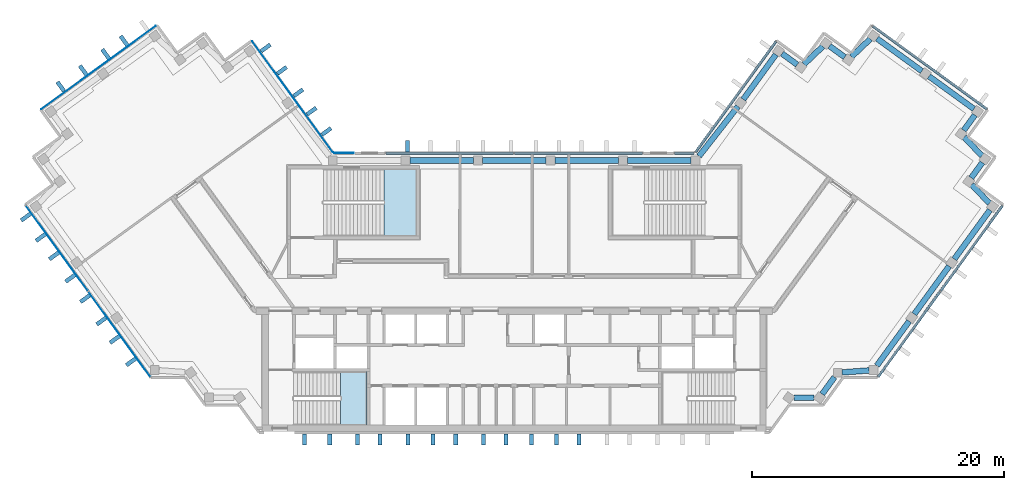
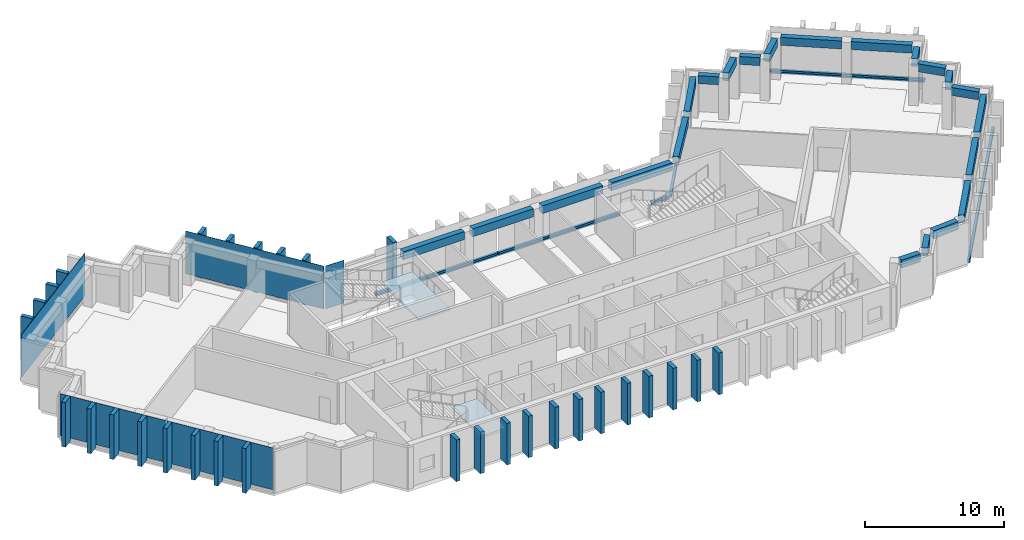
"""IFC4 building model written with IfcOpenShell, lengths in metres."""

from ifc_helpers import new_model, si_unit, direction, frame, origin, origin_2d, place, context, subcontext, project, spatial, polyline, rectangle, outline, extrude, material, layer, layer_set, material_profile, profile_set, type_object, element, aggregate, save


model = new_model("IFC4")

# Units and contexts
model_context = context("Model", 3, precision=1e-05, world=origin(), true_north=direction((0.0, 1.0)))
body_context = subcontext(model_context, "Body", "Model", "MODEL_VIEW")
ifc_project = project(units=[si_unit("LENGTHUNIT", "METRE"), si_unit("AREAUNIT", "SQUARE_METRE"), si_unit("VOLUMEUNIT", "CUBIC_METRE"), si_unit("PLANEANGLEUNIT", "RADIAN"), si_unit("MASSUNIT", "GRAM", prefix="KILO")], contexts=[model_context])

# Site, building, storey
site_placement = place(None, origin())
site = spatial("IfcSite", under=ifc_project, at=site_placement, CompositionType="ELEMENT")
building_placement = place(site_placement, origin())
building = spatial("IfcBuilding", under=site, at=building_placement, Name="Quipu Civic Tower", CompositionType="ELEMENT")
storey_1_placement = place(building_placement, frame((0.0, 0.0, 253.0)))
storey_1 = spatial("IfcBuildingStorey", under=building, at=storey_1_placement, Name="L59", CompositionType="ELEMENT", Elevation=253.0)

# Beams
ifc_material_1 = material(Name="Concrete C50/60", Category="concrete")
ifc_material_profile_1 = material_profile(ifc_material_1, rectangle(XDim=0.449951171875, YDim=0.699951171875, at=origin_2d()), Name="RC450x700")
ifc_profile_set_1 = profile_set([ifc_material_profile_1], Name="Concrete C50/60")
beam_type = type_object("IfcBeamType", Name="Spandrel beam RC 450x700 C50/60", PredefinedType="SPANDREL", material=ifc_profile_set_1)
beam_1_placement = place(storey_1_placement, frame((22.224365234375, -8.31494140625, 3.300048828125), z_axis=(1.0, 0.0, 0.0), x_axis=(0.0, 1.0, 0.0)))
element("IfcBeam", 1, at=beam_1_placement, inside=storey_1, type_object=beam_type, Name="Spandrel beam L59 J-Eo.1 to J-Eo.2", PredefinedType="SPANDREL", context=body_context, shape_type="SweptSolid", body=[
    extrude(rectangle(XDim=0.449951171875, YDim=0.699951171875, at=origin_2d()), origin(), (0.0, 0.0, 1.0), 1.578125),
])
beam_2_placement = place(storey_1_placement, frame((24.44091796875, -8.031982421875, 3.300048828125), z_axis=(0.588407300614, 0.80856468423, 0.0), x_axis=(-0.80856468423, 0.588407300614, 0.0)))
element("IfcBeam", 2, at=beam_2_placement, inside=storey_1, type_object=beam_type, Name="Spandrel beam L59 J-Eo.2 to J-Eo.3", PredefinedType="SPANDREL", context=body_context, shape_type="SweptSolid", body=[
    extrude(rectangle(XDim=0.449951171875, YDim=0.699951171875, at=origin_2d()), origin(), (0.0, 0.0, 1.0), 1.663330078125),
])
beam_3_placement = place(storey_1_placement, frame((26.0244140625, -6.3115234375, 3.300048828125), z_axis=(0.997379352029, 0.072349347934, 0.0), x_axis=(-0.072349347934, 0.997379352029, 0.0)))
element("IfcBeam", 3, at=beam_3_placement, inside=storey_1, type_object=beam_type, Name="Spandrel beam L59 J-Eo.3 to J-Eo.4", PredefinedType="SPANDREL", context=body_context, shape_type="SweptSolid", body=[
    extrude(rectangle(XDim=0.449951171875, YDim=0.699951171875, at=origin_2d()), origin(), (0.0, 0.0, 1.0), 2.15625),
])
beam_4_placement = place(storey_1_placement, frame((28.779296875, -5.780029296875, 3.300048828125), z_axis=(0.58777550284, 0.809024077677, 0.0), x_axis=(-0.809024077677, 0.58777550284, 0.0)))
element("IfcBeam", 4, at=beam_4_placement, inside=storey_1, type_object=beam_type, Name="Spandrel beam L59 J-Eo.4 to E-OUT-01", PredefinedType="SPANDREL", context=body_context, shape_type="SweptSolid", body=[
    extrude(rectangle(XDim=0.449951171875, YDim=0.699951171875, at=origin_2d()), origin(), (0.0, 0.0, 1.0), 4.36083984375),
])
beam_5_placement = place(storey_1_placement, frame((31.75390625, -1.685546875, 3.300048828125), z_axis=(0.587788656305, 0.809014521204, 0.0), x_axis=(-0.809014521204, 0.587788656305, 0.0)))
element("IfcBeam", 5, at=beam_5_placement, inside=storey_1, type_object=beam_type, Name="Spandrel beam L59 E-OUT-01 to E-OUT-02", PredefinedType="SPANDREL", context=body_context, shape_type="SweptSolid", body=[
    extrude(rectangle(XDim=0.449951171875, YDim=0.699951171875, at=origin_2d()), origin(), (0.0, 0.0, 1.0), 4.7001953125),
])
beam_6_placement = place(storey_1_placement, frame((34.927978515625, 2.68310546875, 3.300048828125), z_axis=(0.587905928359, 0.808929304328, 0.0), x_axis=(-0.808929304328, 0.587905928359, 0.0)))
element("IfcBeam", 6, at=beam_6_placement, inside=storey_1, type_object=beam_type, Name="Spandrel beam L59 E-OUT-02 to T-Eo.0-E22", PredefinedType="SPANDREL", context=body_context, shape_type="SweptSolid", body=[
    extrude(rectangle(XDim=0.449951171875, YDim=0.699951171875, at=origin_2d()), origin(), (0.0, 0.0, 1.0), 4.80712890625),
])
beam_7_placement = place(storey_1_placement, frame((37.71484375, 7.11279296875, 3.300048828125), z_axis=(-0.689175330605, 0.724594620244, 0.0), x_axis=(-0.724594620244, -0.689175330605, 0.0)))
element("IfcBeam", 7, at=beam_7_placement, inside=storey_1, type_object=beam_type, Name="Spandrel beam L59 T-Eo.0-E22 to T-Eo.1-E22", PredefinedType="SPANDREL", context=body_context, shape_type="SweptSolid", body=[
    extrude(rectangle(XDim=0.449951171875, YDim=0.699951171875, at=origin_2d()), origin(), (0.0, 0.0, 1.0), 2.033447265625),
])
beam_8_placement = place(storey_1_placement, frame((36.273681640625, 9.12744140625, 3.300048828125), z_axis=(0.587164895097, 0.809467347066, 0.0), x_axis=(-0.809467347066, 0.587164895097, 0.0)))
element("IfcBeam", 8, at=beam_8_placement, inside=storey_1, type_object=beam_type, Name="Spandrel beam L59 T-Eo.1-E22 to T-Eo.2-E22", PredefinedType="SPANDREL", context=body_context, shape_type="SweptSolid", body=[
    extrude(rectangle(XDim=0.449951171875, YDim=0.699951171875, at=origin_2d()), origin(), (0.0, 0.0, 1.0), 1.500244140625),
])
beam_9_placement = place(storey_1_placement, frame((37.114990234375, 10.88330078125, 3.300048828125), z_axis=(-0.688247466856, 0.725475998477, 0.0), x_axis=(-0.725475998477, -0.688247466856, 0.0)))
element("IfcBeam", 9, at=beam_9_placement, inside=storey_1, type_object=beam_type, Name="Spandrel beam L59 T-Eo.2-E22 to T-Eo.3-E22", PredefinedType="SPANDREL", context=body_context, shape_type="SweptSolid", body=[
    extrude(rectangle(XDim=0.449951171875, YDim=0.699951171875, at=origin_2d()), origin(), (0.0, 0.0, 1.0), 2.032958984375),
])
beam_10_placement = place(storey_1_placement, frame((35.6767578125, 12.8994140625, 3.300048828125), z_axis=(0.588345920092, 0.808609348394, 0.0), x_axis=(-0.808609348394, 0.588345920092, 0.0)))
element("IfcBeam", 10, at=beam_10_placement, inside=storey_1, type_object=beam_type, Name="Spandrel beam L59 T-Eo.3-E22 to T-Eo.4-E22", PredefinedType="SPANDREL", context=body_context, shape_type="SweptSolid", body=[
    extrude(rectangle(XDim=0.449951171875, YDim=0.699951171875, at=origin_2d()), origin(), (0.0, 0.0, 1.0), 1.499755859375),
])
beam_11_placement = place(storey_1_placement, frame((36.481689453125, 14.6005859375, 3.300048828125), z_axis=(-0.809117270763, 0.587647208921, 0.0), x_axis=(-0.587647208921, -0.809117270763, 0.0)))
element("IfcBeam", 11, at=beam_11_placement, inside=storey_1, type_object=beam_type, Name="Spandrel beam L59 T-Eo.4-E22 to TIP-E-01-E22", PredefinedType="SPANDREL", context=body_context, shape_type="SweptSolid", body=[
    extrude(rectangle(XDim=0.449951171875, YDim=0.699951171875, at=origin_2d()), origin(), (0.0, 0.0, 1.0), 4.40185546875),
])
beam_12_placement = place(storey_1_placement, frame((32.353759765625, 17.5986328125, 3.300048828125), z_axis=(-0.809146152767, 0.587607439931, 0.0), x_axis=(-0.587607439931, -0.809146152767, 0.0)))
element("IfcBeam", 12, at=beam_12_placement, inside=storey_1, type_object=beam_type, Name="Spandrel beam L59 TIP-E-01-E22 to T-Ei.0-E22", PredefinedType="SPANDREL", context=body_context, shape_type="SweptSolid", body=[
    extrude(rectangle(XDim=0.449951171875, YDim=0.699951171875, at=origin_2d()), origin(), (0.0, 0.0, 1.0), 4.400390625),
])
beam_13_placement = place(storey_1_placement, frame((28.251708984375, 20.14501953125, 3.300048828125), z_axis=(-0.725359138958, -0.688370626574, 0.0), x_axis=(0.688370626574, -0.725359138958, 0.0)))
element("IfcBeam", 13, at=beam_13_placement, inside=storey_1, type_object=beam_type, Name="Spandrel beam L59 T-Ei.0-E22 to T-Ei.1-E22", PredefinedType="SPANDREL", context=body_context, shape_type="SweptSolid", body=[
    extrude(rectangle(XDim=0.449951171875, YDim=0.699951171875, at=origin_2d()), origin(), (0.0, 0.0, 1.0), 2.032958984375),
])
beam_14_placement = place(storey_1_placement, frame((26.236083984375, 18.70654296875, 3.300048828125), z_axis=(-0.808644589435, 0.588297482553, 0.0), x_axis=(-0.588297482553, -0.808644589435, 0.0)))
element("IfcBeam", 14, at=beam_14_placement, inside=storey_1, type_object=beam_type, Name="Spandrel beam L59 T-Ei.1-E22 to T-Ei.2-E22", PredefinedType="SPANDREL", context=body_context, shape_type="SweptSolid", body=[
    extrude(rectangle(XDim=0.449951171875, YDim=0.699951171875, at=origin_2d()), origin(), (0.0, 0.0, 1.0), 1.500244140625),
])
beam_15_placement = place(storey_1_placement, frame((24.48193359375, 19.5498046875, 3.300048828125), z_axis=(-0.72511931772, -0.6886232461, 0.0), x_axis=(0.6886232461, -0.72511931772, 0.0)))
element("IfcBeam", 15, at=beam_15_placement, inside=storey_1, type_object=beam_type, Name="Spandrel beam L59 T-Ei.2-E22 to T-Ei.3-E22", PredefinedType="SPANDREL", context=body_context, shape_type="SweptSolid", body=[
    extrude(rectangle(XDim=0.449951171875, YDim=0.699951171875, at=origin_2d()), origin(), (0.0, 0.0, 1.0), 2.03369140625),
])
beam_16_placement = place(storey_1_placement, frame((22.466064453125, 18.10986328125, 3.300048828125), z_axis=(-0.809461336076, 0.587173181776, 0.0), x_axis=(-0.587173181776, -0.809461336076, 0.0)))
element("IfcBeam", 16, at=beam_16_placement, inside=storey_1, type_object=beam_type, Name="Spandrel beam L59 T-Ei.3-E22 to T-Ei.4-E22", PredefinedType="SPANDREL", context=body_context, shape_type="SweptSolid", body=[
    extrude(rectangle(XDim=0.449951171875, YDim=0.699951171875, at=origin_2d()), origin(), (0.0, 0.0, 1.0), 1.498046875),
])
beam_17_placement = place(storey_1_placement, frame((20.76416015625, 18.911865234375, 3.300048828125), z_axis=(-0.588201428764, -0.808714460857, 0.0), x_axis=(0.808714460857, -0.588201428764, 0.0)))
element("IfcBeam", 17, at=beam_17_placement, inside=storey_1, type_object=beam_type, Name="Spandrel beam L59 T-Ei.4-E22 to E-IN-01", PredefinedType="SPANDREL", context=body_context, shape_type="SweptSolid", body=[
    extrude(rectangle(XDim=0.449951171875, YDim=0.699951171875, at=origin_2d()), origin(), (0.0, 0.0, 1.0), 4.394287109375),
])
beam_18_placement = place(storey_1_placement, frame((17.7578125, 14.799072265625, 3.300048828125), z_axis=(-0.616106034519, -0.787663223865, 0.0), x_axis=(0.787663223865, -0.616106034519, 0.0)))
element("IfcBeam", 18, at=beam_18_placement, inside=storey_1, type_object=beam_type, Name="Spandrel beam L59 E-IN-01 to J-Ei.0", PredefinedType="SPANDREL", context=body_context, shape_type="SweptSolid", body=[
    extrude(rectangle(XDim=0.449951171875, YDim=0.699951171875, at=origin_2d()), origin(), (0.0, 0.0, 1.0), 5.013427734375),
])
for number, where, z_axis, x_axis, name in (
    (19, (14.045166015625, 10.5, 3.300048828125), (-1.0, 0.0, 0.0), (0.0, -1.0, 0.0), "Spandrel beam L59 J-Ei.0 to FRONT-01"),
    (20, (8.287109375, 10.5, 3.300048828125), (-1.0, 0.0, 0.0), (0.0, -1.0, 0.0), "Spandrel beam L59 FRONT-01 to FRONT-02"),
    (21, (2.529052734375, 10.5, 3.300048828125), (-1.0, 0.0, 0.0), (0.0, -1.0, 0.0), "Spandrel beam L59 FRONT-02 to FRONT-03"),
    (22, (-3.22900390625, 10.5, 3.300048828125), (-1.0, 0.0, 0.0), (0.0, -1.0, 0.0), "Spandrel beam L59 FRONT-03 to FRONT-04"),
):
    element("IfcBeam", number, at=place(storey_1_placement, frame(where, z_axis=z_axis, x_axis=x_axis)), inside=storey_1, type_object=beam_type, Name=name, PredefinedType="SPANDREL", context=body_context, shape_type="SweptSolid", body=[
        extrude(rectangle(XDim=0.449951171875, YDim=0.699951171875, at=origin_2d()), origin(), (0.0, 0.0, 1.0), 5.05810546875),
    ])

# Storey
storey_2_placement = place(building_placement, frame((0.0, 0.0, 257.0)))
storey_2 = spatial("IfcBuildingStorey", under=building, at=storey_2_placement, Name="L60", CompositionType="ELEMENT", Elevation=257.0)

# Curtain wall, members
ifc_material_2 = material(Name="Insulated glass unit", Category="glass")
curtain_wall_type_1 = type_object("IfcCurtainWallType", Name="Office curtain wall CW1", PredefinedType="NOTDEFINED", material=ifc_material_2)
curtain_wall_1_placement = place(storey_2_placement, origin())
curtain_wall_1 = element("IfcCurtainWall", 23, at=curtain_wall_1_placement, inside=storey_2, type_object=curtain_wall_type_1, Name="Office curtain wall CW1 L59 run 13", PredefinedType="NOTDEFINED")
ifc_material_3 = material(Name="Anodised aluminium", Category="aluminium")
ifc_material_profile_2 = material_profile(ifc_material_3, rectangle(XDim=0.199951171875, YDim=0.159912109375, at=origin_2d()), Name="RECT 200x160")
ifc_profile_set_2 = profile_set([ifc_material_profile_2], Name="Anodised aluminium")
member_type_1 = type_object("IfcMemberType", Name="Transom CW1", PredefinedType="USERDEFINED", material=ifc_profile_set_2)
member_1_placement = place(storey_1_placement, frame((28.876708984375, -6.66650390625, 0.159912109375), z_axis=(0.587812107925, 0.808997481935, 0.0), x_axis=(-0.808997481935, 0.587812107925, 0.0)))
member_1 = element("IfcMember", 24, at=member_1_placement, inside=storey_1, type_object=member_type_1, Name="CW1 transom 1.1", ObjectType="TRANSOM", PredefinedType="USERDEFINED", context=body_context, shape_type="SweptSolid", body=[
    extrude(rectangle(XDim=0.199951171875, YDim=0.159912109375, at=origin_2d()), origin(), (0.0, 0.0, 1.0), 8.35791015625),
])
member_2_placement = place(storey_1_placement, frame((33.83642578125, 0.15966796875, 0.159912109375), z_axis=(0.587779098815, 0.809021465102, 0.0), x_axis=(-0.809021465102, 0.587779098815, 0.0)))
member_2 = element("IfcMember", 25, at=member_2_placement, inside=storey_1, type_object=member_type_1, Name="CW1 transom 2.1", ObjectType="TRANSOM", PredefinedType="USERDEFINED", context=body_context, shape_type="SweptSolid", body=[
    extrude(rectangle(XDim=0.199951171875, YDim=0.159912109375, at=origin_2d()), origin(), (0.0, 0.0, 1.0), 8.35791015625),
])
aggregate(curtain_wall_1, [member_1, member_2])

# Curtain wall, member
curtain_wall_2_placement = place(storey_2_placement, origin())
curtain_wall_2 = element("IfcCurtainWall", 26, at=curtain_wall_2_placement, inside=storey_2, type_object=curtain_wall_type_1, Name="Office curtain wall CW1 L59 run 18", PredefinedType="NOTDEFINED")
member_3_placement = place(storey_1_placement, frame((37.536865234375, 14.575927734375, 0.159912109375), z_axis=(-0.809022463805, 0.587777724194, 0.0), x_axis=(-0.587777724194, -0.809022463805, 0.0)))
member_3 = element("IfcMember", 27, at=member_3_placement, inside=storey_1, type_object=member_type_1, Name="CW1 transom 1.1", ObjectType="TRANSOM", PredefinedType="USERDEFINED", context=body_context, shape_type="SweptSolid", body=[
    extrude(rectangle(XDim=0.199951171875, YDim=0.159912109375, at=origin_2d()), origin(), (0.0, 0.0, 1.0), 11.240234375),
])
aggregate(curtain_wall_2, [member_3])

curtain_wall_3_placement = place(storey_2_placement, origin())
curtain_wall_3 = element("IfcCurtainWall", 28, at=curtain_wall_3_placement, inside=storey_2, type_object=curtain_wall_type_1, Name="Office curtain wall CW1 L59 run 23", PredefinedType="NOTDEFINED")
member_4_placement = place(storey_1_placement, frame((20.788818359375, 19.97021484375, 0.159912109375), z_axis=(-0.587796859727, -0.809008560953, 0.0), x_axis=(0.809008560953, -0.587796859727, 0.0)))
member_4 = element("IfcMember", 29, at=member_4_placement, inside=storey_1, type_object=member_type_1, Name="CW1 transom 1.1", ObjectType="TRANSOM", PredefinedType="USERDEFINED", context=body_context, shape_type="SweptSolid", body=[
    extrude(rectangle(XDim=0.199951171875, YDim=0.159912109375, at=origin_2d()), origin(), (0.0, 0.0, 1.0), 10.88427734375),
])
aggregate(curtain_wall_3, [member_4])

curtain_wall_4_placement = place(storey_2_placement, origin())
curtain_wall_4 = element("IfcCurtainWall", 30, at=curtain_wall_4_placement, inside=storey_2, type_object=curtain_wall_type_1, Name="Office curtain wall CW1 L59 run 24", PredefinedType="NOTDEFINED")
member_5_placement = place(storey_1_placement, frame((14.26416015625, 11.10009765625, 0.159912109375), z_axis=(-1.0, 0.0, 0.0), x_axis=(0.0, -1.0, 0.0)))
member_5 = element("IfcMember", 31, at=member_5_placement, inside=storey_1, type_object=member_type_1, Name="CW1 transom 1.1", ObjectType="TRANSOM", PredefinedType="USERDEFINED", context=body_context, shape_type="SweptSolid", body=[
    extrude(rectangle(XDim=0.199951171875, YDim=0.159912109375, at=origin_2d()), origin(), (0.0, 0.0, 1.0), 1.529052734375),
])
aggregate(curtain_wall_4, [member_5])

# Curtain wall, members
curtain_wall_5_placement = place(storey_2_placement, origin())
curtain_wall_5 = element("IfcCurtainWall", 32, at=curtain_wall_5_placement, inside=storey_2, type_object=curtain_wall_type_1, Name="Office curtain wall CW1 L59 run 26", PredefinedType="NOTDEFINED")
member_6_placement = place(storey_1_placement, frame((10.18359375, 11.10009765625, 0.159912109375), z_axis=(-1.0, 0.0, 0.0), x_axis=(0.0, -1.0, 0.0)))
member_6 = element("IfcMember", 33, at=member_6_placement, inside=storey_1, type_object=member_type_1, Name="CW1 transom 1.1", ObjectType="TRANSOM", PredefinedType="USERDEFINED", context=body_context, shape_type="SweptSolid", body=[
    extrude(rectangle(XDim=0.199951171875, YDim=0.159912109375, at=origin_2d()), origin(), (0.0, 0.0, 1.0), 10.1435546875),
])
member_7_placement = place(storey_1_placement, frame((-0.0400390625, 11.10009765625, 0.159912109375), z_axis=(-1.0, 0.0, 0.0), x_axis=(0.0, -1.0, 0.0)))
member_7 = element("IfcMember", 34, at=member_7_placement, inside=storey_1, type_object=member_type_1, Name="CW1 transom 2.1", ObjectType="TRANSOM", PredefinedType="USERDEFINED", context=body_context, shape_type="SweptSolid", body=[
    extrude(rectangle(XDim=0.199951171875, YDim=0.159912109375, at=origin_2d()), origin(), (0.0, 0.0, 1.0), 10.1435546875),
])
aggregate(curtain_wall_5, [member_6, member_7])

# Storey
storey_3_placement = place(building_placement, frame((0.0, 0.0, 248.0)))
storey_3 = spatial("IfcBuildingStorey", under=building, at=storey_3_placement, Name="L58", CompositionType="ELEMENT", Elevation=248.0)

# Curtain wall, members
ifc_material_4 = material(Name="Insulated glass unit", Category="glass")
curtain_wall_type_2 = type_object("IfcCurtainWallType", Name="Sky lobby and refuge curtain wall CW5", PredefinedType="NOTDEFINED", material=ifc_material_4)
curtain_wall_6_placement = place(storey_3_placement, origin())
curtain_wall_6 = element("IfcCurtainWall", 35, at=curtain_wall_6_placement, inside=storey_3, type_object=curtain_wall_type_2, Name="Sky lobby and refuge curtain wall CW5 L58 run 23", PredefinedType="NOTDEFINED")
ifc_material_5 = material(Name="Anodised aluminium", Category="aluminium")
ifc_material_profile_3 = material_profile(ifc_material_5, rectangle(XDim=0.199951171875, YDim=0.14990234375, at=origin_2d()), Name="RECT 200x150")
ifc_profile_set_3 = profile_set([ifc_material_profile_3], Name="Anodised aluminium")
member_type_2 = type_object("IfcMemberType", Name="Transom CW5", PredefinedType="USERDEFINED", material=ifc_profile_set_3)
member_8_placement = place(storey_1_placement, frame((28.89453125, -6.642333984375, 0.0), z_axis=(0.587764741485, 0.809031895952, 0.0), x_axis=(-0.809031895952, 0.587764741485, 0.0)))
member_8 = element("IfcMember", 36, at=member_8_placement, inside=storey_1, type_object=member_type_2, Name="CW5 transom 1.3", ObjectType="TRANSOM", PredefinedType="USERDEFINED", context=body_context, shape_type="SweptSolid", body=[
    extrude(rectangle(XDim=0.199951171875, YDim=0.14990234375, at=origin_2d()), origin(), (0.0, 0.0, 1.0), 8.312744140625),
])
member_9_placement = place(storey_1_placement, frame((33.84521484375, 0.171875, 0.0), z_axis=(0.587783964052, 0.809017930335, 0.0), x_axis=(-0.809017930335, 0.587783964052, 0.0)))
member_9 = element("IfcMember", 37, at=member_9_placement, inside=storey_1, type_object=member_type_2, Name="CW5 transom 2.3", ObjectType="TRANSOM", PredefinedType="USERDEFINED", context=body_context, shape_type="SweptSolid", body=[
    extrude(rectangle(XDim=0.199951171875, YDim=0.14990234375, at=origin_2d()), origin(), (0.0, 0.0, 1.0), 8.31298828125),
])
aggregate(curtain_wall_6, [member_8, member_9])

# Curtain wall, member
curtain_wall_7_placement = place(storey_3_placement, origin())
curtain_wall_7 = element("IfcCurtainWall", 38, at=curtain_wall_7_placement, inside=storey_3, type_object=curtain_wall_type_2, Name="Sky lobby and refuge curtain wall CW5 L58 run 28", PredefinedType="NOTDEFINED")
member_10_placement = place(storey_1_placement, frame((37.512451171875, 14.593505859375, 0.0), z_axis=(-0.809008905304, 0.587796385782, 0.0), x_axis=(-0.587796385782, -0.809008905304, 0.0)))
member_10 = element("IfcMember", 39, at=member_10_placement, inside=storey_1, type_object=member_type_2, Name="CW5 transom 1.3", ObjectType="TRANSOM", PredefinedType="USERDEFINED", context=body_context, shape_type="SweptSolid", body=[
    extrude(rectangle(XDim=0.199951171875, YDim=0.14990234375, at=origin_2d()), origin(), (0.0, 0.0, 1.0), 11.179931640625),
])
aggregate(curtain_wall_7, [member_10])

curtain_wall_8_placement = place(storey_3_placement, origin())
curtain_wall_8 = element("IfcCurtainWall", 40, at=curtain_wall_8_placement, inside=storey_3, type_object=curtain_wall_type_2, Name="Sky lobby and refuge curtain wall CW5 L58 run 33", PredefinedType="NOTDEFINED")
member_11_placement = place(storey_1_placement, frame((20.771240234375, 19.946044921875, 0.0), z_axis=(-0.587780027336, -0.809020790503, 0.0), x_axis=(0.809020790503, -0.587780027336, 0.0)))
member_11 = element("IfcMember", 41, at=member_11_placement, inside=storey_1, type_object=member_type_2, Name="CW5 transom 1.3", ObjectType="TRANSOM", PredefinedType="USERDEFINED", context=body_context, shape_type="SweptSolid", body=[
    extrude(rectangle(XDim=0.199951171875, YDim=0.14990234375, at=origin_2d()), origin(), (0.0, 0.0, 1.0), 10.82421875),
])
aggregate(curtain_wall_8, [member_11])

curtain_wall_9_placement = place(storey_3_placement, origin())
curtain_wall_9 = element("IfcCurtainWall", 42, at=curtain_wall_9_placement, inside=storey_3, type_object=curtain_wall_type_2, Name="Sky lobby and refuge curtain wall CW5 L58 run 34", PredefinedType="NOTDEFINED")
member_12_placement = place(storey_1_placement, frame((14.234130859375, 11.10009765625, 0.0), z_axis=(-1.0, 0.0, 0.0), x_axis=(0.0, -1.0, 0.0)))
member_12 = element("IfcMember", 43, at=member_12_placement, inside=storey_1, type_object=member_type_2, Name="CW5 transom 1.3", ObjectType="TRANSOM", PredefinedType="USERDEFINED", context=body_context, shape_type="SweptSolid", body=[
    extrude(rectangle(XDim=0.199951171875, YDim=0.14990234375, at=origin_2d()), origin(), (0.0, 0.0, 1.0), 1.46923828125),
])
aggregate(curtain_wall_9, [member_12])

# Curtain wall, members
curtain_wall_10_placement = place(storey_3_placement, origin())
curtain_wall_10 = element("IfcCurtainWall", 44, at=curtain_wall_10_placement, inside=storey_3, type_object=curtain_wall_type_2, Name="Sky lobby and refuge curtain wall CW5 L58 run 36", PredefinedType="NOTDEFINED")
member_13_placement = place(storey_1_placement, frame((10.153564453125, 11.10009765625, 0.0), z_axis=(-1.0, 0.0, 0.0), x_axis=(0.0, -1.0, 0.0)))
member_13 = element("IfcMember", 45, at=member_13_placement, inside=storey_1, type_object=member_type_2, Name="CW5 transom 1.3", ObjectType="TRANSOM", PredefinedType="USERDEFINED", context=body_context, shape_type="SweptSolid", body=[
    extrude(rectangle(XDim=0.199951171875, YDim=0.14990234375, at=origin_2d()), origin(), (0.0, 0.0, 1.0), 10.0986328125),
])
member_14_placement = place(storey_1_placement, frame((-0.054931640625, 11.10009765625, 0.0), z_axis=(-1.0, 0.0, 0.0), x_axis=(0.0, -1.0, 0.0)))
member_14 = element("IfcMember", 46, at=member_14_placement, inside=storey_1, type_object=member_type_2, Name="CW5 transom 2.3", ObjectType="TRANSOM", PredefinedType="USERDEFINED", context=body_context, shape_type="SweptSolid", body=[
    extrude(rectangle(XDim=0.199951171875, YDim=0.14990234375, at=origin_2d()), origin(), (0.0, 0.0, 1.0), 10.0986328125),
])
aggregate(curtain_wall_10, [member_13, member_14])

# Curtain wall, plates
curtain_wall_11_placement = place(storey_1_placement, origin())
curtain_wall_11 = element("IfcCurtainWall", 47, at=curtain_wall_11_placement, inside=storey_1, type_object=curtain_wall_type_1, Name="Office curtain wall CW1 L59 run 4", PredefinedType="NOTDEFINED")
ifc_material_6 = material(Name="Insulated glass unit", Category="glass")
ifc_layer_1 = layer(ifc_material_6, 0.028076171875)
ifc_layer_set_1 = layer_set([ifc_layer_1], Name="Insulated glass unit")
plate_type_1 = type_object("IfcPlateType", Name="Glass panel CW1", PredefinedType="CURTAIN_PANEL", material=ifc_layer_set_1)
plate_1_placement = place(storey_1_placement, frame((-36.292724609375, 3.54052734375, 0.240234375), z_axis=(0.0, 0.0, 1.0), x_axis=(0.587786237643, -0.809016278475, 0.0)))
plate_1 = element("IfcPlate", 48, at=plate_1_placement, type_object=plate_type_1, Name="CW1 panel 1.1", PredefinedType="CURTAIN_PANEL", context=body_context, shape_type="SweptSolid", body=[
    extrude(rectangle(XDim=8.35791015625, YDim=0.028076171875, at=origin_2d()), origin(), (0.0, 0.0, 1.0), 3.679931640625),
])
plate_2_placement = place(storey_1_placement, frame((-31.333251953125, -3.285888671875, 0.240234375), z_axis=(0.0, 0.0, 1.0), x_axis=(0.587786237643, -0.809016278475, 0.0)))
plate_2 = element("IfcPlate", 49, at=plate_2_placement, type_object=plate_type_1, Name="CW1 panel 2.1", PredefinedType="CURTAIN_PANEL", context=body_context, shape_type="SweptSolid", body=[
    extrude(rectangle(XDim=8.35791015625, YDim=0.028076171875, at=origin_2d()), origin(), (0.0, 0.0, 1.0), 3.679931640625),
])
aggregate(curtain_wall_11, [plate_1, plate_2])

# Curtain wall, plate
curtain_wall_12_placement = place(storey_2_placement, origin())
curtain_wall_12 = element("IfcCurtainWall", 50, at=curtain_wall_12_placement, inside=storey_2, type_object=curtain_wall_type_1, Name="Office curtain wall CW1 L59 run 28", PredefinedType="NOTDEFINED")
plate_3_placement = place(storey_1_placement, frame((-13.49951171875, 11.10009765625, 0.240234375), z_axis=(0.0, 0.0, 1.0), x_axis=(-1.0, 0.0, 0.0)))
plate_3 = element("IfcPlate", 51, at=plate_3_placement, inside=storey_1, type_object=plate_type_1, Name="CW1 panel 1.1", PredefinedType="CURTAIN_PANEL", context=body_context, shape_type="SweptSolid", body=[
    extrude(rectangle(XDim=1.529296875, YDim=0.028076171875, at=origin_2d()), origin(), (0.0, 0.0, 1.0), 3.760009765625),
])
aggregate(curtain_wall_12, [plate_3])

curtain_wall_13_placement = place(storey_2_placement, origin())
curtain_wall_13 = element("IfcCurtainWall", 52, at=curtain_wall_13_placement, inside=storey_2, type_object=curtain_wall_type_1, Name="Office curtain wall CW1 L59 run 29", PredefinedType="NOTDEFINED")
plate_4_placement = place(storey_1_placement, frame((-17.590087890625, 15.5673828125, 0.240234375), z_axis=(0.0, 0.0, 1.0), x_axis=(-0.587787771652, 0.809015163947, 0.0)))
plate_4 = element("IfcPlate", 53, at=plate_4_placement, inside=storey_1, type_object=plate_type_1, Name="CW1 panel 1.1", PredefinedType="CURTAIN_PANEL", context=body_context, shape_type="SweptSolid", body=[
    extrude(rectangle(XDim=10.88427734375, YDim=0.028076171875, at=origin_2d()), origin(), (0.0, 0.0, 1.0), 3.760009765625),
])
aggregate(curtain_wall_13, [plate_4])

curtain_wall_14_placement = place(storey_2_placement, origin())
curtain_wall_14 = element("IfcCurtainWall", 54, at=curtain_wall_14_placement, inside=storey_2, type_object=curtain_wall_type_1, Name="Office curtain wall CW1 L59 run 34", PredefinedType="NOTDEFINED")
plate_5_placement = place(storey_1_placement, frame((-32.989990234375, 17.87939453125, 0.240234375), z_axis=(0.0, 0.0, 1.0), x_axis=(-0.809015176832, -0.587787753918, 0.0)))
plate_5 = element("IfcPlate", 55, at=plate_5_placement, inside=storey_1, type_object=plate_type_1, Name="CW1 panel 1.1", PredefinedType="CURTAIN_PANEL", context=body_context, shape_type="SweptSolid", body=[
    extrude(rectangle(XDim=11.239990234375, YDim=0.028076171875, at=origin_2d()), origin(), (0.0, 0.0, 1.0), 3.760009765625),
])
aggregate(curtain_wall_14, [plate_5])

# Plates
ifc_material_7 = material(Name="Precast concrete C40/50", Category="concrete")
plate_type_2 = type_object("IfcPlateType", Name="Precast fin F3", PredefinedType="SHEET", material=ifc_material_7)
for number, where, z_axis, x_axis, name in (
    (56, (-38.764892578125, 6.007568359375, 0.080078125), (0.0, 0.0, 1.0), (0.587786668783, -0.809015965233, 0.0), "Precast fin F3 L59.4.1"),
    (57, (-37.58935546875, 4.389404296875, 0.080078125), (0.0, 0.0, 1.0), (0.587786668783, -0.809015965233, 0.0), "Precast fin F3 L59.4.2"),
    (58, (-36.53125, 2.933349609375, 0.080078125), (0.0, 0.0, 1.0), (0.587786668783, -0.809015965233, 0.0), "Precast fin F3 L59.4.3"),
    (59, (-35.23828125, 1.1533203125, 0.080078125), (0.0, 0.0, 1.0), (0.587786668783, -0.809015965233, 0.0), "Precast fin F3 L59.4.4"),
    (60, (-34.062744140625, -0.464599609375, 0.080078125), (0.0, 0.0, 1.0), (0.587786668783, -0.809015965233, 0.0), "Precast fin F3 L59.4.5"),
    (61, (-32.76953125, -2.244384765625, 0.080078125), (0.0, 0.0, 1.0), (0.587786668783, -0.809015965233, 0.0), "Precast fin F3 L59.4.6"),
    (62, (-31.71142578125, -3.70068359375, 0.080078125), (0.0, 0.0, 1.0), (0.587786668783, -0.809015965233, 0.0), "Precast fin F3 L59.4.7"),
    (63, (-30.41845703125, -5.48046875, 0.080078125), (0.0, 0.0, 1.0), (0.587786668783, -0.809015965233, 0.0), "Precast fin F3 L59.4.8"),
):
    element("IfcPlate", number, at=place(storey_1_placement, frame(where, z_axis=z_axis, x_axis=x_axis)), inside=storey_1, type_object=plate_type_2, Name=name, PredefinedType="SHEET", context=body_context, shape_type="SweptSolid", body=[
        extrude(rectangle(XDim=0.320068359375, YDim=0.89990234375, at=origin_2d()), origin(), (0.0, 0.0, 1.0), 3.919921875),
    ])
for number, where, z_axis, x_axis, name in (
    (64, (-16.639892578125, -11.637939453125, 0.0), (0.0, 0.0, 1.0), (1.0, 0.0, 0.0), "Precast fin F3 L59.7.1"),
    (65, (-14.639892578125, -11.637939453125, 0.0), (0.0, 0.0, 1.0), (1.0, 0.0, 0.0), "Precast fin F3 L59.7.2"),
    (66, (-12.43994140625, -11.637939453125, 0.0), (0.0, 0.0, 1.0), (1.0, 0.0, 0.0), "Precast fin F3 L59.7.3"),
    (67, (-10.639892578125, -11.637939453125, 0.0), (0.0, 0.0, 1.0), (1.0, 0.0, 0.0), "Precast fin F3 L59.7.4"),
    (68, (-8.43994140625, -11.637939453125, 0.0), (0.0, 0.0, 1.0), (1.0, 0.0, 0.0), "Precast fin F3 L59.7.5"),
    (69, (-6.43994140625, -11.637939453125, 0.0), (0.0, 0.0, 1.0), (1.0, 0.0, 0.0), "Precast fin F3 L59.7.6"),
    (70, (-4.639892578125, -11.637939453125, 0.0), (0.0, 0.0, 1.0), (1.0, 0.0, 0.0), "Precast fin F3 L59.7.7"),
    (71, (-2.43994140625, -11.637939453125, 0.0), (0.0, 0.0, 1.0), (1.0, 0.0, 0.0), "Precast fin F3 L59.7.8"),
    (72, (-0.639892578125, -11.637939453125, 0.0), (0.0, 0.0, 1.0), (1.0, 0.0, 0.0), "Precast fin F3 L59.7.9"),
    (73, (1.360107421875, -11.637939453125, 0.0), (0.0, 0.0, 1.0), (1.0, 0.0, 0.0), "Precast fin F3 L59.7.10"),
    (74, (3.360107421875, -11.637939453125, 0.0), (0.0, 0.0, 1.0), (1.0, 0.0, 0.0), "Precast fin F3 L59.7.11"),
    (75, (5.159912109375, -11.637939453125, 0.0), (0.0, 0.0, 1.0), (1.0, 0.0, 0.0), "Precast fin F3 L59.7.12"),
):
    element("IfcPlate", number, at=place(storey_1_placement, frame(where, z_axis=z_axis, x_axis=x_axis)), inside=storey_1, type_object=plate_type_2, Name=name, PredefinedType="SHEET", context=body_context, shape_type="SweptSolid", body=[
        extrude(rectangle(XDim=0.320068359375, YDim=0.89990234375, at=origin_2d()), origin(), (0.0, 0.0, 1.0), 3.64990234375),
    ])
for number, where, z_axis, x_axis, name in (
    (76, (-8.4599609375, 11.64990234375, 0.080078125), (0.0, 0.0, 1.0), (-1.0, 0.0, 0.0), "Precast fin F3 L59.26.10"),
    (77, (-14.90380859375, 12.805908203125, 0.080078125), (0.0, 0.0, 1.0), (-0.58778443384, 0.809017589015, 0.0), "Precast fin F3 L59.29.1"),
    (78, (-16.079345703125, 14.424072265625, 0.080078125), (0.0, 0.0, 1.0), (-0.58778443384, 0.809017589015, 0.0), "Precast fin F3 L59.29.2"),
    (79, (-17.137451171875, 15.880126953125, 0.080078125), (0.0, 0.0, 1.0), (-0.58778443384, 0.809017589015, 0.0), "Precast fin F3 L59.29.3"),
    (80, (-18.4306640625, 17.66015625, 0.080078125), (0.0, 0.0, 1.0), (-0.58778443384, 0.809017589015, 0.0), "Precast fin F3 L59.29.4"),
    (81, (-19.7236328125, 19.43994140625, 0.080078125), (0.0, 0.0, 1.0), (-0.58778443384, 0.809017589015, 0.0), "Precast fin F3 L59.29.5"),
    (82, (-30.975341796875, 20.02294921875, 0.080078125), (0.0, 0.0, 1.0), (-0.809017072762, -0.587785144401, 0.0), "Precast fin F3 L59.34.2"),
    (83, (-32.431640625, 18.96484375, 0.080078125), (0.0, 0.0, 1.0), (-0.809017072762, -0.587785144401, 0.0), "Precast fin F3 L59.34.3"),
    (84, (-34.21142578125, 17.671875, 0.080078125), (0.0, 0.0, 1.0), (-0.809017072762, -0.587785144401, 0.0), "Precast fin F3 L59.34.4"),
    (85, (-35.9912109375, 16.378662109375, 0.080078125), (0.0, 0.0, 1.0), (-0.809017072762, -0.587785144401, 0.0), "Precast fin F3 L59.34.5"),
):
    element("IfcPlate", number, at=place(storey_1_placement, frame(where, z_axis=z_axis, x_axis=x_axis)), inside=storey_1, type_object=plate_type_2, Name=name, PredefinedType="SHEET", context=body_context, shape_type="SweptSolid", body=[
        extrude(rectangle(XDim=0.320068359375, YDim=0.89990234375, at=origin_2d()), origin(), (0.0, 0.0, 1.0), 3.919921875),
    ])

# Stair, slab
ifc_material_8 = material(Name="Concrete C40/50", Category="concrete")
stair_type_1 = type_object("IfcStairType", Name="Half turn stair 2000", PredefinedType="HALF_TURN_STAIR", material=ifc_material_8)
stair_1_placement = place(storey_1_placement, origin())
stair_1 = element("IfcStair", 86, at=stair_1_placement, inside=storey_1, type_object=stair_type_1, Name="Exit stair 1", PredefinedType="HALF_TURN_STAIR")
ifc_material_9 = material(Name="Concrete C40/50", Category="concrete")
ifc_layer_2 = layer(ifc_material_9, 0.199951171875)
ifc_layer_set_2 = layer_set([ifc_layer_2], Name="Concrete C40/50")
slab_type = type_object("IfcSlabType", Name="Stair landing 200", PredefinedType="LANDING", material=ifc_layer_set_2)
slab_1_placement = place(storey_1_placement, frame((0.0, 0.0, 1.800048828125)))
slab_1 = element("IfcSlab", 87, at=slab_1_placement, type_object=slab_type, Name="ST-1 landing 1", PredefinedType="LANDING", context=body_context, shape_type="SweptSolid", body=[
    extrude(outline(polyline([(-13.780029296875, -10.5), (-11.699951171875, -10.5), (-11.699951171875, -6.25), (-13.780029296875, -6.25), (-13.780029296875, -10.5)])), origin(), (0.0, 0.0, 1.0), 0.199951171875),
])
aggregate(stair_1, [slab_1])

ifc_material_10 = material(Name="Concrete C40/50", Category="concrete")
stair_type_2 = type_object("IfcStairType", Name="Half turn stair 2600", PredefinedType="HALF_TURN_STAIR", material=ifc_material_10)
stair_2_placement = place(storey_1_placement, origin())
stair_2 = element("IfcStair", 88, at=stair_2_placement, inside=storey_1, type_object=stair_type_2, Name="Exit stair 3", PredefinedType="HALF_TURN_STAIR")
slab_2_placement = place(storey_1_placement, frame((0.0, 0.0, 1.800048828125)))
slab_2 = element("IfcSlab", 89, at=slab_2_placement, type_object=slab_type, Name="ST-3 landing 1", PredefinedType="LANDING", context=body_context, shape_type="SweptSolid", body=[
    extrude(outline(polyline([(-10.35009765625, 4.5), (-7.75, 4.5), (-7.75, 9.85009765625), (-10.35009765625, 9.85009765625), (-10.35009765625, 4.5)])), origin(), (0.0, 0.0, 1.0), 0.199951171875),
])
aggregate(stair_2, [slab_2])

save(model, "model.ifc")
